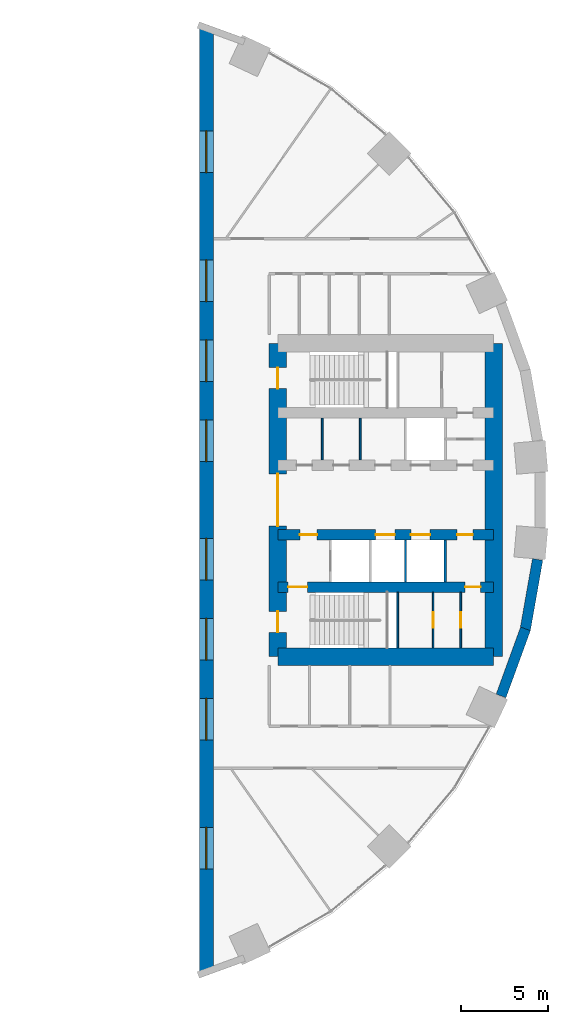
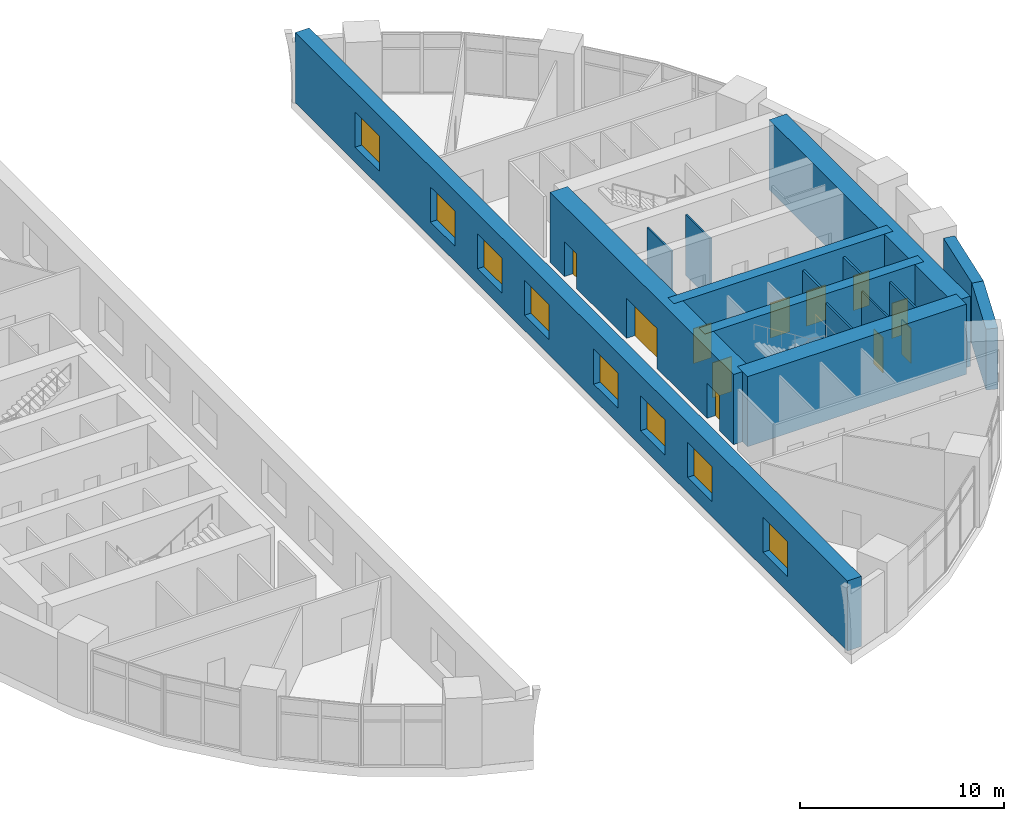
# One storey, part 10 of 13: 15 walls, 11 doors, 8 windows, 19 openings.
"""IFC4 building model written with IfcOpenShell, lengths in metres."""

import ifcopenshell
import ifcopenshell.guid

model = None  # the IFC model being written
_history = None  # IfcOwnerHistory: only IFC2X3 demands one
_inside = {}  # id of a spatial element -> (the spatial element, [elements in it])
_under = {}  # id of a project, library or spatial element -> (it, [spatial elements below it])
_declared = {}  # id of a project -> (the project, [libraries it declares])
_typed = {}  # id of a type object -> (the type object, [elements of that type])
_made_of = {}  # id of a material, layer set ... -> (it, [elements and type objects made of it])


def new_model(schema):
    """Start an empty IFC model of exactly this schema.

    Asked for "IFC4X3", IfcOpenShell would pick the latest addendum, in which some entities
    have other attributes; the version numbers below select the first issue.
    IFC2X3 requires an IfcOwnerHistory on every rooted entity: one is made here for all.
    """
    global model, _history
    if schema == "IFC4X3":
        model = ifcopenshell.file(schema_version=(4, 3, 0, 0))
    else:
        model = ifcopenshell.file(schema=schema)
    _inside.clear()
    _under.clear()
    _declared.clear()
    _typed.clear()
    _made_of.clear()
    _history = None
    if model.schema == "IFC2X3":
        org = make("IfcOrganization", Name="unknown")
        user = make(
            "IfcPersonAndOrganization",
            ThePerson=make("IfcPerson", FamilyName="unknown"),
            TheOrganization=org,
        )
        app = make(
            "IfcApplication",
            ApplicationDeveloper=org,
            Version="unknown",
            ApplicationFullName="unknown",
            ApplicationIdentifier="unknown",
        )
        _history = make(
            "IfcOwnerHistory",
            OwningUser=user,
            OwningApplication=app,
            ChangeAction="ADDED",
            CreationDate=0,
        )
    return model


def make(cls, **values):
    """One entity of the class cls with the attributes given. An attribute that is None is left unset."""
    return model.create_entity(
        cls, **{name: value for name, value in values.items() if value is not None}
    )


def rooted(cls, **values):
    """An entity with a GlobalId (a new one), such as an element, a storey or a relation."""
    return make(cls, GlobalId=ifcopenshell.guid.new(), OwnerHistory=_history, **values)


def si_unit(unit_type, name, prefix=None):
    """IfcSIUnit, for example si_unit("LENGTHUNIT", "METRE", prefix="MILLI")."""
    return make("IfcSIUnit", UnitType=unit_type, Prefix=prefix, Name=name)


def assignment(units):
    """IfcUnitAssignment: the units of a project."""
    return None if units is None else make("IfcUnitAssignment", Units=units)


def point(xyz):
    """IfcCartesianPoint."""
    return None if xyz is None else make("IfcCartesianPoint", Coordinates=xyz)


def direction(xyz):
    """IfcDirection."""
    return None if xyz is None else make("IfcDirection", DirectionRatios=xyz)


def frame(location, z_axis=None, x_axis=None):
    """IfcAxis2Placement3D, a coordinate frame: its origin and axes. An axis left out is left unset."""
    return make(
        "IfcAxis2Placement3D",
        Location=point(location),
        Axis=direction(z_axis),
        RefDirection=direction(x_axis),
    )


def frame_2d(location, x_axis=None):
    """IfcAxis2Placement2D, a coordinate frame in the plane: its origin and x axis."""
    return make(
        "IfcAxis2Placement2D", Location=point(location), RefDirection=direction(x_axis)
    )


def origin():
    """The frame at (0, 0, 0) with its axes left unset."""
    return frame((0.0, 0.0, 0.0))


def place(relative_to, where):
    """IfcLocalPlacement: puts the frame where relative to a parent placement (None: the world)."""
    return make(
        "IfcLocalPlacement", PlacementRelTo=relative_to, RelativePlacement=where
    )


def context(
    kind, dimensions, precision=None, world=None, true_north=None, identifier=None
):
    """IfcGeometricRepresentationContext, for example the 3D "Model" context."""
    return make(
        "IfcGeometricRepresentationContext",
        ContextIdentifier=identifier,
        ContextType=kind,
        CoordinateSpaceDimension=dimensions,
        Precision=precision,
        WorldCoordinateSystem=world,
        TrueNorth=true_north,
    )


def subcontext(parent, identifier, kind, view, scale=None):
    """IfcGeometricRepresentationSubContext, for example "Body" below "Model"."""
    return make(
        "IfcGeometricRepresentationSubContext",
        ContextIdentifier=identifier,
        ContextType=kind,
        ParentContext=parent,
        TargetScale=scale,
        TargetView=view,
    )


def project(units=None, contexts=None):
    """IfcProject with its units and contexts."""
    return rooted(
        "IfcProject",
        Name="project",
        RepresentationContexts=contexts,
        UnitsInContext=assignment(units),
    )


def spatial(cls, under=None, at=None, **own):
    """A site, building, storey or space (cls), placed at a placement, below another one or the project."""
    s = rooted(cls, ObjectPlacement=at, **own)
    if under is not None:
        _under.setdefault(under.id(), (under, []))[1].append(s)
    return s


def profile(cls, at=None, kind="AREA", **sizes):
    """A parametric profile (cls). Its sizes go by their IFC names, for example OverallWidth=200.0."""
    return make(cls, ProfileType=kind, Position=at, **sizes)


def rectangle(**sizes):
    """IfcRectangleProfileDef."""
    return profile("IfcRectangleProfileDef", **sizes)


def extrude(swept, where, along, depth):
    """IfcExtrudedAreaSolid: the profile swept, set in the frame where, extruded along a direction by depth."""
    return make(
        "IfcExtrudedAreaSolid",
        SweptArea=swept,
        Position=where,
        ExtrudedDirection=direction(along),
        Depth=depth,
    )


def shape(context_of_items, identifier, shape_type, items):
    """IfcShapeRepresentation: the items that make up one representation, for example the "Body"."""
    return make(
        "IfcShapeRepresentation",
        ContextOfItems=context_of_items,
        RepresentationIdentifier=identifier,
        RepresentationType=shape_type,
        Items=items,
    )


def material(Name=None, Category=None):
    """IfcMaterial."""
    return make("IfcMaterial", Name=Name, Category=Category)


def layer(
    of_material, thickness, ventilated=None, Name=None, Category=None, Priority=None
):
    """IfcMaterialLayer: one layer of a wall or slab, of a material (None: an air gap)."""
    return make(
        "IfcMaterialLayer",
        Material=of_material,
        LayerThickness=thickness,
        IsVentilated=ventilated,
        Name=Name,
        Category=Category,
        Priority=Priority,
    )


def layer_set(layers, Name=None):
    """IfcMaterialLayerSet."""
    return make("IfcMaterialLayerSet", MaterialLayers=layers, LayerSetName=Name)


def made_of(thing, what):
    """Note that an element or type object is made of a material, layer set ...; save() writes the relation."""
    if what is not None:
        _made_of.setdefault(what.id(), (what, []))[1].append(thing)
    return thing


def type_object(cls, material=None, **own):
    """A type object (cls), such as IfcWallType, which elements share."""
    return made_of(rooted(cls, **own), material)


def element(
    cls,
    number,
    at=None,
    inside=None,
    cuts=None,
    type_object=None,
    material=None,
    context=None,
    identifier="Body",
    shape_type=None,
    held_by="IfcProductDefinitionShape",
    body=None,
    shapes=None,
    **own,
):
    """One element of the class cls, such as IfcWall. Its Tag is "e" and its number.

    at: its placement. inside: the storey or other place that contains it. cuts: it is an
    opening in that element (IfcRelVoidsElement). A single representation is given by context,
    identifier, shape_type and body (its items); several are given by shapes. held_by: the class
    of the entity that holds the representations. save() writes the other relations.
    """
    e = rooted(cls, Tag="e%d" % number, ObjectPlacement=at, **own)
    if body is not None:
        shapes = [shape(context, identifier, shape_type, body)]
    if shapes is not None:
        e.Representation = make(held_by, Representations=shapes)
    if inside is not None:
        _inside.setdefault(inside.id(), (inside, []))[1].append(e)
    if cuts is not None:
        rooted(
            "IfcRelVoidsElement", RelatingBuildingElement=cuts, RelatedOpeningElement=e
        )
    if type_object is not None:
        _typed.setdefault(type_object.id(), (type_object, []))[1].append(e)
    return made_of(e, material)


def fill(opening, filler):
    """IfcRelFillsElement: the door or window that sits in an opening."""
    return rooted(
        "IfcRelFillsElement",
        RelatingOpeningElement=opening,
        RelatedBuildingElement=filler,
    )


def aggregate(whole, parts):
    """IfcRelAggregates: a whole, such as a stair, and the parts it consists of."""
    return rooted("IfcRelAggregates", RelatingObject=whole, RelatedObjects=parts)


def save(model, path):
    """Write the relations noted so far, then the file.

    IfcRelAggregates (storeys below a building ...), IfcRelContainedInSpatialStructure (elements
    in a storey), IfcRelDefinesByType, IfcRelAssociatesMaterial and IfcRelDeclares: one each for
    every whole, place, type object, material and project.
    """
    for whole, parts in _under.values():
        aggregate(whole, parts)
    for where, things in _inside.values():
        rooted(
            "IfcRelContainedInSpatialStructure",
            RelatedElements=things,
            RelatingStructure=where,
        )
    for kind, things in _typed.values():
        rooted("IfcRelDefinesByType", RelatedObjects=things, RelatingType=kind)
    for what, things in _made_of.values():
        rooted("IfcRelAssociatesMaterial", RelatedObjects=things, RelatingMaterial=what)
    for by, libraries in _declared.values():
        rooted("IfcRelDeclares", RelatingContext=by, RelatedDefinitions=libraries)
    model.write(path)


model = new_model("IFC4")

# Units and contexts
model_context = context("Model", 3, precision=1e-05, world=origin(), true_north=direction((0.0, 1.0)))
body_context = subcontext(model_context, "Body", "Model", "MODEL_VIEW")
ifc_project = project(units=[si_unit("LENGTHUNIT", "METRE"), si_unit("AREAUNIT", "SQUARE_METRE"), si_unit("VOLUMEUNIT", "CUBIC_METRE"), si_unit("PLANEANGLEUNIT", "RADIAN"), si_unit("MASSUNIT", "GRAM", prefix="KILO")], contexts=[model_context])

# Site, building, storey
site_placement = place(None, origin())
site = spatial("IfcSite", under=ifc_project, at=site_placement, CompositionType="ELEMENT")
building_placement = place(site_placement, origin())
building = spatial("IfcBuilding", under=site, at=building_placement, Name="Saqina Gate Tower", CompositionType="ELEMENT")
storey_placement = place(building_placement, frame((0.0, 0.0, 5.0)))
storey = spatial("IfcBuildingStorey", under=building, at=storey_placement, Name="L01", CompositionType="ELEMENT", Elevation=5.0)

# Walls
ifc_material_1 = material(Name="Gypsum board on steel studs", Category="steel")
ifc_layer_1 = layer(ifc_material_1, 0.10009765625)
ifc_layer_set_1 = layer_set([ifc_layer_1], Name="CORE PARTITION")
wall_type_1 = type_object("IfcWallType", Name="CORE PARTITION", PredefinedType="PARTITIONING", material=ifc_layer_set_1)
for number, where, z_axis, x_axis, name in (
    (1, (16.052001953125, 2.300048828125, 0.0), (0.0, 0.0, 1.0), (0.0, 1.0, 0.0), "L01-CP-E01"),
    (2, (18.24072265625, 2.300048828125, 0.0), (0.0, 0.0, 1.0), (0.0, 1.0, 0.0), "L01-CP-E02"),
):
    element("IfcWall", number, at=place(storey_placement, frame(where, z_axis=z_axis, x_axis=x_axis)), inside=storey, type_object=wall_type_1, Name=name, PredefinedType="PARTITIONING", context=body_context, shape_type="SweptSolid", body=[
        extrude(rectangle(XDim=2.39990234375, YDim=0.10009765625, at=frame_2d((1.199951171875, 0.0))), origin(), (0.0, 0.0, 1.0), 3.64990234375),
    ])

# Wall, opening, door
wall_1_placement = place(storey_placement, frame((22.424072265625, -8.5, 0.0), z_axis=(0.0, 0.0, 1.0), x_axis=(0.0, 1.0, 0.0)))
wall_1 = element("IfcWall", 3, at=wall_1_placement, inside=storey, type_object=wall_type_1, Name="L01-CP-E13", PredefinedType="PARTITIONING", context=body_context, shape_type="SweptSolid", body=[
    extrude(rectangle(XDim=3.199951171875, YDim=0.10009765625, at=frame_2d((1.60009765625, 0.0))), origin(), (0.0, 0.0, 1.0), 3.64990234375),
])
opening_1_placement = place(wall_1_placement, frame((1.14990234375, 0.0, 0.0)))
opening_1 = element("IfcOpeningElement", 4, at=opening_1_placement, cuts=wall_1, Name="Opening L01-D100", PredefinedType="OPENING", context=body_context, shape_type="SweptSolid", body=[
    extrude(rectangle(XDim=0.89990234375, YDim=2.10009765625, at=frame_2d((0.449951171875, 1.050048828125))), frame((0.0, 0.06201171875, 0.0), z_axis=(0.0, -1.0, 0.0), x_axis=(1.0, 0.0, 0.0)), (0.0, 0.0, 1.0), 0.1240234375),
])
ifc_material_2 = material(Name="Steel-framed fire door leaf, EI 60", Category="steel")
door_type_1 = type_object("IfcDoorType", Name="SERVICE ROOM DOOR 900", OperationType="SINGLE_SWING_LEFT", PredefinedType="DOOR", material=ifc_material_2)
door_1_placement = place(opening_1_placement, origin())
door_1 = element("IfcDoor", 5, at=door_1_placement, inside=storey, type_object=door_type_1, Name="L01-CD-E11", OperationType="SINGLE_SWING_LEFT", OverallHeight=2.10009765625, OverallWidth=0.89990234375, PredefinedType="DOOR", context=body_context, shape_type="SweptSolid", body=[
    extrude(rectangle(XDim=0.89990234375, YDim=2.10009765625, at=frame_2d((0.449951171875, 1.050048828125))), frame((0.0, 0.02490234375, 0.0), z_axis=(0.0, -1.0, 0.0), x_axis=(1.0, 0.0, 0.0)), (0.0, 0.0, 1.0), 0.050048828125),
])
fill(opening_1, door_1)

wall_2_placement = place(storey_placement, frame((24.01123046875, -8.5, 0.0), z_axis=(0.0, 0.0, 1.0), x_axis=(0.0, 1.0, 0.0)))
wall_2 = element("IfcWall", 6, at=wall_2_placement, inside=storey, type_object=wall_type_1, Name="L01-CP-E14", PredefinedType="PARTITIONING", context=body_context, shape_type="SweptSolid", body=[
    extrude(rectangle(XDim=3.199951171875, YDim=0.10009765625, at=frame_2d((1.60009765625, 0.0))), origin(), (0.0, 0.0, 1.0), 3.64990234375),
])
opening_2_placement = place(wall_2_placement, frame((1.14990234375, 0.0, 0.0)))
opening_2 = element("IfcOpeningElement", 7, at=opening_2_placement, cuts=wall_2, Name="Opening L01-D99", PredefinedType="OPENING", context=body_context, shape_type="SweptSolid", body=[
    extrude(rectangle(XDim=0.89990234375, YDim=2.10009765625, at=frame_2d((0.449951171875, 1.050048828125))), frame((0.0, 0.06201171875, 0.0), z_axis=(0.0, -1.0, 0.0), x_axis=(1.0, 0.0, 0.0)), (0.0, 0.0, 1.0), 0.1240234375),
])
door_2_placement = place(opening_2_placement, origin())
door_2 = element("IfcDoor", 8, at=door_2_placement, inside=storey, type_object=door_type_1, Name="L01-CD-E10", OperationType="SINGLE_SWING_LEFT", OverallHeight=2.10009765625, OverallWidth=0.89990234375, PredefinedType="DOOR", context=body_context, shape_type="SweptSolid", body=[
    extrude(rectangle(XDim=0.89990234375, YDim=2.10009765625, at=frame_2d((0.449951171875, 1.050048828125))), frame((0.0, 0.02490234375, 0.0), z_axis=(0.0, -1.0, 0.0), x_axis=(1.0, 0.0, 0.0)), (0.0, 0.0, 1.0), 0.050048828125),
])
fill(opening_2, door_2)

# Walls
ifc_material_3 = material(Name="Glazed ceramic tile", Category="ceramic")
ifc_layer_2 = layer(ifc_material_3, 0.60009765625)
ifc_layer_set_2 = layer_set([ifc_layer_2], Name="FW-TILE")
wall_type_2 = type_object("IfcWallType", Name="FW-TILE", PredefinedType="SOLIDWALL", material=ifc_layer_set_2)
wall_3_placement = place(storey_placement, frame((26.327880859375, -11.255126953125, 0.0), z_axis=(0.0, 0.0, 1.0), x_axis=(0.342034744565, 0.939687306241, 0.0)))
element("IfcWall", 9, at=wall_3_placement, inside=storey, type_object=wall_type_2, Name="Facade wall L01 facet 34", PredefinedType="SOLIDWALL", context=body_context, shape_type="SweptSolid", body=[
    extrude(rectangle(XDim=4.099365234375, YDim=0.60009765625, at=frame_2d((2.0498046875, 0.0))), origin(), (0.0, 0.0, 1.0), 3.64990234375),
])
ifc_material_4 = material(Name="Glazed ceramic tile (white)", Category="ceramic")
ifc_layer_3 = layer(ifc_material_4, 0.60009765625)
ifc_layer_set_3 = layer_set([ifc_layer_3], Name="FW-TILE-WH")
wall_type_3 = type_object("IfcWallType", Name="FW-TILE-WH", PredefinedType="SOLIDWALL", material=ifc_layer_set_3)
wall_4_placement = place(storey_placement, frame((27.71630859375, -7.45361328125, 0.0), z_axis=(0.0, 0.0, 1.0), x_axis=(0.173673210505, 0.984803338719, 0.0)))
element("IfcWall", 10, at=wall_4_placement, inside=storey, type_object=wall_type_3, Name="Facade wall L01 facet 35", PredefinedType="SOLIDWALL", context=body_context, shape_type="SweptSolid", body=[
    extrude(rectangle(XDim=4.09912109375, YDim=0.60009765625, at=frame_2d((2.049560546875, 0.0))), origin(), (0.0, 0.0, 1.0), 3.64990234375),
])
ifc_material_5 = material(Name="Autoclaved aerated concrete block", Category="concrete")
ifc_layer_4 = layer(ifc_material_5, 0.1201171875)
ifc_layer_set_4 = layer_set([ifc_layer_4], Name="SHAFT PARTITION")
wall_type_4 = type_object("IfcWallType", Name="SHAFT PARTITION", PredefinedType="PARTITIONING", material=ifc_layer_set_4)
for number, where, z_axis, x_axis, name in (
    (11, (20.840087890625, -4.699951171875, 0.0), (0.0, 0.0, 1.0), (0.0, 1.0, 0.0), "L01-CP-E07"),
    (12, (23.1201171875, -4.699951171875, 0.0), (0.0, 0.0, 1.0), (0.0, 1.0, 0.0), "L01-CP-E08"),
):
    element("IfcWall", number, at=place(storey_placement, frame(where, z_axis=z_axis, x_axis=x_axis)), inside=storey, type_object=wall_type_4, Name=name, PredefinedType="PARTITIONING", context=body_context, shape_type="SweptSolid", body=[
        extrude(rectangle(XDim=2.39990234375, YDim=0.1201171875, at=frame_2d((1.199951171875, 0.0))), origin(), (0.0, 0.0, 1.0), 3.64990234375),
    ])
ifc_material_6 = material(Name="Autoclaved aerated concrete block", Category="concrete")
ifc_layer_5 = layer(ifc_material_6, 0.10009765625)
ifc_layer_set_5 = layer_set([ifc_layer_5], Name="STAIR ENCLOSURE WALL")
wall_type_5 = type_object("IfcWallType", Name="STAIR ENCLOSURE WALL", PredefinedType="PARTITIONING", material=ifc_layer_set_5)
wall_5_placement = place(storey_placement, frame((20.389892578125, -8.5, 0.0), z_axis=(0.0, 0.0, 1.0), x_axis=(0.0, 1.0, 0.0)))
element("IfcWall", 13, at=wall_5_placement, inside=storey, type_object=wall_type_5, Name="L01-CP-E12", PredefinedType="PARTITIONING", context=body_context, shape_type="SweptSolid", body=[
    extrude(rectangle(XDim=3.199951171875, YDim=0.10009765625, at=frame_2d((1.60009765625, 0.0))), origin(), (0.0, 0.0, 1.0), 3.64990234375),
])

# Wall, openings, doors
ifc_material_7 = material(Name="Concrete C70/85", Category="concrete")
ifc_layer_6 = layer(ifc_material_7, 0.60009765625)
ifc_layer_set_6 = layer_set([ifc_layer_6], Name="Concrete C70/85")
wall_type_6 = type_object("IfcWallType", Name="STR-CORE WALL-P-I", PredefinedType="SHEAR", material=ifc_layer_set_6)
wall_6_placement = place(storey_placement, frame((13.5, -5.0, 0.0), z_axis=(0.0, 0.0, 1.0), x_axis=(1.0, 0.0, 0.0)))
wall_6 = element("IfcWall", 14, at=wall_6_placement, inside=storey, type_object=wall_type_6, Name="CORE WALL L01 E-X2", PredefinedType="SHEAR", context=body_context, shape_type="SweptSolid", body=[
    extrude(rectangle(XDim=12.39990234375, YDim=0.60009765625, at=frame_2d((6.199951171875, 0.0))), origin(), (0.0, 0.0, 1.0), 4.199951171875),
])
opening_3_placement = place(wall_6_placement, frame((10.755615234375, 0.0, 0.0)))
opening_3 = element("IfcOpeningElement", 15, at=opening_3_placement, cuts=wall_6, Name="Opening L01-D101", PredefinedType="OPENING", context=body_context, shape_type="SweptSolid", body=[
    extrude(rectangle(XDim=0.89990234375, YDim=2.10009765625, at=frame_2d((0.449951171875, 1.050048828125))), frame((0.0, 0.31201171875, 0.0), z_axis=(0.0, -1.0, 0.0), x_axis=(1.0, 0.0, 0.0)), (0.0, 0.0, 1.0), 0.6240234375),
])
opening_4_placement = place(wall_6_placement, frame((0.60009765625, 0.0, 0.0)))
opening_4 = element("IfcOpeningElement", 16, at=opening_4_placement, cuts=wall_6, Name="Opening L01-D102", PredefinedType="OPENING", context=body_context, shape_type="SweptSolid", body=[
    extrude(rectangle(XDim=1.10009765625, YDim=2.10009765625, at=frame_2d((0.550048828125, 1.050048828125))), frame((0.0, 0.31201171875, 0.0), z_axis=(0.0, -1.0, 0.0), x_axis=(1.0, 0.0, 0.0)), (0.0, 0.0, 1.0), 0.6240234375),
])
ifc_material_8 = material(Name="Steel", Category="steel")
door_type_2 = type_object("IfcDoorType", Name="FIRE LOBBY DOOR EI 60 WIDE", OperationType="SINGLE_SWING_LEFT", PredefinedType="DOOR", material=ifc_material_8)
door_3_placement = place(opening_4_placement, frame((1.10009765625, 0.0, 0.0), z_axis=(0.0, 0.0, 1.0), x_axis=(-1.0, 0.0, 0.0)))
door_3 = element("IfcDoor", 17, at=door_3_placement, inside=storey, type_object=door_type_2, Name="L01-CD-E13", OperationType="SINGLE_SWING_RIGHT", OverallHeight=2.10009765625, OverallWidth=1.10009765625, PredefinedType="DOOR", context=body_context, shape_type="SweptSolid", body=[
    extrude(rectangle(XDim=1.10009765625, YDim=2.10009765625, at=frame_2d((0.550048828125, 1.050048828125))), frame((0.0, 0.02490234375, 0.0), z_axis=(0.0, -1.0, 0.0), x_axis=(1.0, 0.0, 0.0)), (0.0, 0.0, 1.0), 0.050048828125),
])
fill(opening_4, door_3)
door_4_placement = place(opening_3_placement, origin())
door_4 = element("IfcDoor", 18, at=door_4_placement, inside=storey, type_object=door_type_1, Name="L01-CD-E12", OperationType="SINGLE_SWING_RIGHT", OverallHeight=2.10009765625, OverallWidth=0.89990234375, PredefinedType="DOOR", context=body_context, shape_type="SweptSolid", body=[
    extrude(rectangle(XDim=0.89990234375, YDim=2.10009765625, at=frame_2d((0.449951171875, 1.050048828125))), frame((0.0, 0.02490234375, 0.0), z_axis=(0.0, -1.0, 0.0), x_axis=(1.0, 0.0, 0.0)), (0.0, 0.0, 1.0), 0.050048828125),
])
fill(opening_3, door_4)

wall_7_placement = place(storey_placement, frame((13.5, -2.0, 0.0), z_axis=(0.0, 0.0, 1.0), x_axis=(1.0, 0.0, 0.0)))
wall_7 = element("IfcWall", 19, at=wall_7_placement, inside=storey, type_object=wall_type_6, Name="CORE WALL L01 E-L2", PredefinedType="SHEAR", context=body_context, shape_type="SweptSolid", body=[
    extrude(rectangle(XDim=12.39990234375, YDim=0.60009765625, at=frame_2d((6.199951171875, 0.0))), origin(), (0.0, 0.0, 1.0), 4.199951171875),
])
opening_5_placement = place(wall_7_placement, frame((5.6201171875, 0.0, 0.0)))
opening_5 = element("IfcOpeningElement", 20, at=opening_5_placement, cuts=wall_7, Name="Opening L01-LD3", PredefinedType="OPENING", context=body_context, shape_type="SweptSolid", body=[
    extrude(rectangle(XDim=1.10009765625, YDim=2.10009765625, at=frame_2d((0.550048828125, 1.050048828125))), frame((0.0, 0.31201171875, 0.0), z_axis=(0.0, -1.0, 0.0), x_axis=(1.0, 0.0, 0.0)), (0.0, 0.0, 1.0), 0.6240234375),
])
opening_6_placement = place(wall_7_placement, frame((7.64990234375, 0.0, 0.0)))
opening_6 = element("IfcOpeningElement", 21, at=opening_6_placement, cuts=wall_7, Name="Opening L01-LD4", PredefinedType="OPENING", context=body_context, shape_type="SweptSolid", body=[
    extrude(rectangle(XDim=1.10009765625, YDim=2.10009765625, at=frame_2d((0.550048828125, 1.050048828125))), frame((0.0, 0.31201171875, 0.0), z_axis=(0.0, -1.0, 0.0), x_axis=(1.0, 0.0, 0.0)), (0.0, 0.0, 1.0), 0.6240234375),
])
opening_7_placement = place(wall_7_placement, frame((1.264892578125, 0.0, 0.0)))
opening_7 = element("IfcOpeningElement", 22, at=opening_7_placement, cuts=wall_7, Name="Opening L01-D94", PredefinedType="OPENING", context=body_context, shape_type="SweptSolid", body=[
    extrude(rectangle(XDim=1.0, YDim=2.10009765625, at=frame_2d((0.5, 1.050048828125))), frame((0.0, 0.31201171875, 0.0), z_axis=(0.0, -1.0, 0.0), x_axis=(1.0, 0.0, 0.0)), (0.0, 0.0, 1.0), 0.6240234375),
])
opening_8_placement = place(wall_7_placement, frame((10.31005859375, 0.0, 0.0)))
opening_8 = element("IfcOpeningElement", 23, at=opening_8_placement, cuts=wall_7, Name="Opening L01-D95", PredefinedType="OPENING", context=body_context, shape_type="SweptSolid", body=[
    extrude(rectangle(XDim=0.89990234375, YDim=2.10009765625, at=frame_2d((0.449951171875, 1.050048828125))), frame((0.0, 0.31201171875, 0.0), z_axis=(0.0, -1.0, 0.0), x_axis=(1.0, 0.0, 0.0)), (0.0, 0.0, 1.0), 0.6240234375),
])
ifc_material_9 = material(Name="Steel", Category="steel")
door_type_3 = type_object("IfcDoorType", Name="FIRE LOBBY DOOR EI 60", OperationType="SINGLE_SWING_LEFT", PredefinedType="DOOR", material=ifc_material_9)
door_5_placement = place(opening_7_placement, origin())
door_5 = element("IfcDoor", 24, at=door_5_placement, inside=storey, type_object=door_type_3, Name="L01-CD-E05", OperationType="SINGLE_SWING_LEFT", OverallHeight=2.10009765625, OverallWidth=1.0, PredefinedType="DOOR", context=body_context, shape_type="SweptSolid", body=[
    extrude(rectangle(XDim=1.0, YDim=2.10009765625, at=frame_2d((0.5, 1.050048828125))), frame((0.0, 0.02490234375, 0.0), z_axis=(0.0, -1.0, 0.0), x_axis=(1.0, 0.0, 0.0)), (0.0, 0.0, 1.0), 0.050048828125),
])
fill(opening_7, door_5)
ifc_material_10 = material(Name="Stainless steel", Category="steel")
door_type_4 = type_object("IfcDoorType", Name="LANDING DOOR", OperationType="DOUBLE_DOOR_SLIDING", PredefinedType="DOOR", material=ifc_material_10)
door_6_placement = place(opening_5_placement, origin())
door_6 = element("IfcDoor", 25, at=door_6_placement, inside=storey, type_object=door_type_4, Name="LANDING DOOR LR3", OperationType="DOUBLE_DOOR_SLIDING", OverallHeight=2.10009765625, OverallWidth=1.10009765625, PredefinedType="DOOR", context=body_context, shape_type="SweptSolid", body=[
    extrude(rectangle(XDim=1.10009765625, YDim=2.10009765625, at=frame_2d((0.550048828125, 1.050048828125))), frame((0.0, 0.02490234375, 0.0), z_axis=(0.0, -1.0, 0.0), x_axis=(1.0, 0.0, 0.0)), (0.0, 0.0, 1.0), 0.050048828125),
])
fill(opening_5, door_6)
door_7_placement = place(opening_6_placement, origin())
door_7 = element("IfcDoor", 26, at=door_7_placement, inside=storey, type_object=door_type_4, Name="LANDING DOOR LR2", OperationType="DOUBLE_DOOR_SLIDING", OverallHeight=2.10009765625, OverallWidth=1.10009765625, PredefinedType="DOOR", context=body_context, shape_type="SweptSolid", body=[
    extrude(rectangle(XDim=1.10009765625, YDim=2.10009765625, at=frame_2d((0.550048828125, 1.050048828125))), frame((0.0, 0.02490234375, 0.0), z_axis=(0.0, -1.0, 0.0), x_axis=(1.0, 0.0, 0.0)), (0.0, 0.0, 1.0), 0.050048828125),
])
fill(opening_6, door_7)
door_8_placement = place(opening_8_placement, frame((0.89990234375, 0.0, 0.0), z_axis=(0.0, 0.0, 1.0), x_axis=(-1.0, 0.0, 0.0)))
door_8 = element("IfcDoor", 27, at=door_8_placement, inside=storey, type_object=door_type_1, Name="L01-CD-E06", OperationType="SINGLE_SWING_LEFT", OverallHeight=2.10009765625, OverallWidth=0.89990234375, PredefinedType="DOOR", context=body_context, shape_type="SweptSolid", body=[
    extrude(rectangle(XDim=0.89990234375, YDim=2.10009765625, at=frame_2d((0.449951171875, 1.050048828125))), frame((0.0, 0.02490234375, 0.0), z_axis=(0.0, -1.0, 0.0), x_axis=(1.0, 0.0, 0.0)), (0.0, 0.0, 1.0), 0.050048828125),
])
fill(opening_8, door_8)

ifc_material_11 = material(Name="Concrete C70/85", Category="concrete")
ifc_layer_7 = layer(ifc_material_11, 1.0)
ifc_layer_set_7 = layer_set([ifc_layer_7], Name="Concrete C70/85")
wall_type_7 = type_object("IfcWallType", Name="STR-CORE WALL-P-O", PredefinedType="SHEAR", material=ifc_layer_set_7)
wall_8_placement = place(storey_placement, frame((13.5, -9.0, 0.0), z_axis=(0.0, 0.0, 1.0), x_axis=(0.0, 1.0, 0.0)))
wall_8 = element("IfcWall", 28, at=wall_8_placement, inside=storey, type_object=wall_type_7, Name="CORE WALL L01 E-W1", PredefinedType="SHEAR", context=body_context, shape_type="SweptSolid", body=[
    extrude(rectangle(XDim=18.0, YDim=1.0, at=frame_2d((9.0, 0.0))), origin(), (0.0, 0.0, 1.0), 4.199951171875),
])
opening_9_placement = place(wall_8_placement, frame((15.39990234375, 0.0, 0.0)))
opening_9 = element("IfcOpeningElement", 29, at=opening_9_placement, cuts=wall_8, Name="Opening L01-D103", PredefinedType="OPENING", context=body_context, shape_type="SweptSolid", body=[
    extrude(rectangle(XDim=1.199951171875, YDim=2.10009765625, at=frame_2d((0.60009765625, 1.050048828125))), frame((0.0, 0.511962890625, 0.0), z_axis=(0.0, -1.0, 0.0), x_axis=(1.0, 0.0, 0.0)), (0.0, 0.0, 1.0), 1.02392578125),
])
opening_10_placement = place(wall_8_placement, frame((1.39990234375, 0.0, 0.0)))
opening_10 = element("IfcOpeningElement", 30, at=opening_10_placement, cuts=wall_8, Name="Opening L01-D104", PredefinedType="OPENING", context=body_context, shape_type="SweptSolid", body=[
    extrude(rectangle(XDim=1.199951171875, YDim=2.10009765625, at=frame_2d((0.60009765625, 1.050048828125))), frame((0.0, 0.511962890625, 0.0), z_axis=(0.0, -1.0, 0.0), x_axis=(1.0, 0.0, 0.0)), (0.0, 0.0, 1.0), 1.02392578125),
])
opening_11_placement = place(wall_8_placement, frame((7.5, 0.0, 0.0)))
opening_11 = element("IfcOpeningElement", 31, at=opening_11_placement, cuts=wall_8, Name="Opening L01-D105", PredefinedType="OPENING", context=body_context, shape_type="SweptSolid", body=[
    extrude(rectangle(XDim=3.0, YDim=2.39990234375, at=frame_2d((1.5, 1.199951171875))), frame((0.0, 0.511962890625, 0.0), z_axis=(0.0, -1.0, 0.0), x_axis=(1.0, 0.0, 0.0)), (0.0, 0.0, 1.0), 1.02392578125),
])
ifc_material_12 = material(Name="Steel", Category="steel")
door_type_5 = type_object("IfcDoorType", Name="FIRE DOOR EI 60", OperationType="SINGLE_SWING_LEFT", PredefinedType="DOOR", material=ifc_material_12)
door_9_placement = place(opening_9_placement, frame((1.199951171875, 0.0, 0.0), z_axis=(0.0, 0.0, 1.0), x_axis=(-1.0, 0.0, 0.0)))
door_9 = element("IfcDoor", 32, at=door_9_placement, inside=storey, type_object=door_type_5, Name="L01-CD-E14", OperationType="SINGLE_SWING_LEFT", OverallHeight=2.10009765625, OverallWidth=1.199951171875, PredefinedType="DOOR", context=body_context, shape_type="SweptSolid", body=[
    extrude(rectangle(XDim=1.199951171875, YDim=2.10009765625, at=frame_2d((0.60009765625, 1.050048828125))), frame((0.0, 0.02490234375, 0.0), z_axis=(0.0, -1.0, 0.0), x_axis=(1.0, 0.0, 0.0)), (0.0, 0.0, 1.0), 0.050048828125),
])
fill(opening_9, door_9)
door_10_placement = place(opening_10_placement, frame((1.199951171875, 0.0, 0.0), z_axis=(0.0, 0.0, 1.0), x_axis=(-1.0, 0.0, 0.0)))
door_10 = element("IfcDoor", 33, at=door_10_placement, inside=storey, type_object=door_type_5, Name="L01-CD-E15", OperationType="SINGLE_SWING_RIGHT", OverallHeight=2.10009765625, OverallWidth=1.199951171875, PredefinedType="DOOR", context=body_context, shape_type="SweptSolid", body=[
    extrude(rectangle(XDim=1.199951171875, YDim=2.10009765625, at=frame_2d((0.60009765625, 1.050048828125))), frame((0.0, 0.02490234375, 0.0), z_axis=(0.0, -1.0, 0.0), x_axis=(1.0, 0.0, 0.0)), (0.0, 0.0, 1.0), 0.050048828125),
])
fill(opening_10, door_10)
ifc_material_13 = material(Name="Steel and fire-resisting glass", Category="steel")
door_type_6 = type_object("IfcDoorType", Name="LOBBY SCREEN DOOR", OperationType="DOUBLE_DOOR_SLIDING", PredefinedType="DOOR", material=ifc_material_13)
door_11_placement = place(opening_11_placement, origin())
door_11 = element("IfcDoor", 34, at=door_11_placement, inside=storey, type_object=door_type_6, Name="L01-CD-E16", OperationType="DOUBLE_DOOR_SLIDING", OverallHeight=2.39990234375, OverallWidth=3.0, PredefinedType="DOOR", context=body_context, shape_type="SweptSolid", body=[
    extrude(rectangle(XDim=3.0, YDim=2.39990234375, at=frame_2d((1.5, 1.199951171875))), frame((0.0, 0.02490234375, 0.0), z_axis=(0.0, -1.0, 0.0), x_axis=(1.0, 0.0, 0.0)), (0.0, 0.0, 1.0), 0.050048828125),
])
fill(opening_11, door_11)

# Walls
wall_9_placement = place(storey_placement, frame((25.89990234375, -9.0, 0.0), z_axis=(0.0, 0.0, 1.0), x_axis=(0.0, 1.0, 0.0)))
element("IfcWall", 35, at=wall_9_placement, inside=storey, type_object=wall_type_7, Name="CORE WALL L01 E-W2", PredefinedType="SHEAR", context=body_context, shape_type="SweptSolid", body=[
    extrude(rectangle(XDim=18.0, YDim=1.0, at=frame_2d((9.0, 0.0))), origin(), (0.0, 0.0, 1.0), 4.199951171875),
])
wall_10_placement = place(storey_placement, frame((13.5, -9.0, 0.0), z_axis=(0.0, 0.0, 1.0), x_axis=(1.0, 0.0, 0.0)))
element("IfcWall", 36, at=wall_10_placement, inside=storey, type_object=wall_type_7, Name="CORE WALL L01 E-SE", PredefinedType="SHEAR", context=body_context, shape_type="SweptSolid", body=[
    extrude(rectangle(XDim=12.39990234375, YDim=1.0, at=frame_2d((6.199951171875, 0.0))), origin(), (0.0, 0.0, 1.0), 4.199951171875),
])

# Wall, openings, windows
ifc_material_14 = material(Name="Concrete C70/85", Category="concrete")
ifc_layer_8 = layer(ifc_material_14, 0.800048828125)
ifc_layer_set_8 = layer_set([ifc_layer_8], Name="Concrete C70/85")
wall_type_8 = type_object("IfcWallType", Name="STR-PIER-PASSAGE", PredefinedType="SHEAR", material=ifc_layer_set_8)
wall_11_placement = place(storey_placement, frame((9.39990234375, -27.076904296875, 0.0), z_axis=(0.0, 0.0, 1.0), x_axis=(0.0, 1.0, 0.0)))
wall_11 = element("IfcWall", 37, at=wall_11_placement, inside=storey, type_object=wall_type_8, Name="L01-FLKE", PredefinedType="SHEAR", context=body_context, shape_type="SweptSolid", body=[
    extrude(rectangle(XDim=54.15380859375, YDim=0.800048828125, at=frame_2d((27.076904296875, 0.0))), origin(), (0.0, 0.0, 1.0), 4.199951171875),
])
opening_12_placement = place(wall_11_placement, frame((13.27685546875, 0.0, 0.89990234375)))
opening_12 = element("IfcOpeningElement", 38, at=opening_12_placement, cuts=wall_11, Name="Opening L01-W50", PredefinedType="OPENING", context=body_context, shape_type="SweptSolid", body=[
    extrude(rectangle(XDim=2.39990234375, YDim=2.10009765625, at=frame_2d((1.199951171875, 1.050048828125))), frame((0.0, 0.412109375, 0.0), z_axis=(0.0, -1.0, 0.0), x_axis=(1.0, 0.0, 0.0)), (0.0, 0.0, 1.0), 0.823974609375),
])
opening_13_placement = place(wall_11_placement, frame((17.876708984375, 0.0, 0.89990234375)))
opening_13 = element("IfcOpeningElement", 39, at=opening_13_placement, cuts=wall_11, Name="Opening L01-W51", PredefinedType="OPENING", context=body_context, shape_type="SweptSolid", body=[
    extrude(rectangle(XDim=2.39990234375, YDim=2.10009765625, at=frame_2d((1.199951171875, 1.050048828125))), frame((0.0, 0.412109375, 0.0), z_axis=(0.0, -1.0, 0.0), x_axis=(1.0, 0.0, 0.0)), (0.0, 0.0, 1.0), 0.823974609375),
])
opening_14_placement = place(wall_11_placement, frame((22.476806640625, 0.0, 0.89990234375)))
opening_14 = element("IfcOpeningElement", 40, at=opening_14_placement, cuts=wall_11, Name="Opening L01-W52", PredefinedType="OPENING", context=body_context, shape_type="SweptSolid", body=[
    extrude(rectangle(XDim=2.39990234375, YDim=2.10009765625, at=frame_2d((1.199951171875, 1.050048828125))), frame((0.0, 0.412109375, 0.0), z_axis=(0.0, -1.0, 0.0), x_axis=(1.0, 0.0, 0.0)), (0.0, 0.0, 1.0), 0.823974609375),
])
opening_15_placement = place(wall_11_placement, frame((29.27685546875, 0.0, 0.89990234375)))
opening_15 = element("IfcOpeningElement", 41, at=opening_15_placement, cuts=wall_11, Name="Opening L01-W53", PredefinedType="OPENING", context=body_context, shape_type="SweptSolid", body=[
    extrude(rectangle(XDim=2.39990234375, YDim=2.10009765625, at=frame_2d((1.199951171875, 1.050048828125))), frame((0.0, 0.412109375, 0.0), z_axis=(0.0, -1.0, 0.0), x_axis=(1.0, 0.0, 0.0)), (0.0, 0.0, 1.0), 0.823974609375),
])
opening_16_placement = place(wall_11_placement, frame((33.876708984375, 0.0, 0.89990234375)))
opening_16 = element("IfcOpeningElement", 42, at=opening_16_placement, cuts=wall_11, Name="Opening L01-W54", PredefinedType="OPENING", context=body_context, shape_type="SweptSolid", body=[
    extrude(rectangle(XDim=2.39990234375, YDim=2.10009765625, at=frame_2d((1.199951171875, 1.050048828125))), frame((0.0, 0.412109375, 0.0), z_axis=(0.0, -1.0, 0.0), x_axis=(1.0, 0.0, 0.0)), (0.0, 0.0, 1.0), 0.823974609375),
])
opening_17_placement = place(wall_11_placement, frame((38.476806640625, 0.0, 0.89990234375)))
opening_17 = element("IfcOpeningElement", 43, at=opening_17_placement, cuts=wall_11, Name="Opening L01-W55", PredefinedType="OPENING", context=body_context, shape_type="SweptSolid", body=[
    extrude(rectangle(XDim=2.39990234375, YDim=2.10009765625, at=frame_2d((1.199951171875, 1.050048828125))), frame((0.0, 0.412109375, 0.0), z_axis=(0.0, -1.0, 0.0), x_axis=(1.0, 0.0, 0.0)), (0.0, 0.0, 1.0), 0.823974609375),
])
opening_18_placement = place(wall_11_placement, frame((5.876708984375, 0.0, 0.89990234375)))
opening_18 = element("IfcOpeningElement", 44, at=opening_18_placement, cuts=wall_11, Name="Opening L01-W56", PredefinedType="OPENING", context=body_context, shape_type="SweptSolid", body=[
    extrude(rectangle(XDim=2.39990234375, YDim=2.10009765625, at=frame_2d((1.199951171875, 1.050048828125))), frame((0.0, 0.412109375, 0.0), z_axis=(0.0, -1.0, 0.0), x_axis=(1.0, 0.0, 0.0)), (0.0, 0.0, 1.0), 0.823974609375),
])
opening_19_placement = place(wall_11_placement, frame((45.876708984375, 0.0, 0.89990234375)))
opening_19 = element("IfcOpeningElement", 45, at=opening_19_placement, cuts=wall_11, Name="Opening L01-W57", PredefinedType="OPENING", context=body_context, shape_type="SweptSolid", body=[
    extrude(rectangle(XDim=2.39990234375, YDim=2.10009765625, at=frame_2d((1.199951171875, 1.050048828125))), frame((0.0, 0.412109375, 0.0), z_axis=(0.0, -1.0, 0.0), x_axis=(1.0, 0.0, 0.0)), (0.0, 0.0, 1.0), 0.823974609375),
])
ifc_material_15 = material(Name="Double glazed unit in aluminium frame", Category="aluminium")
window_type = type_object("IfcWindowType", Name="AMENITY WINDOW 2400", PartitioningType="SINGLE_PANEL", PredefinedType="WINDOW", material=ifc_material_15)
window_1_placement = place(opening_12_placement, origin())
window_1 = element("IfcWindow", 46, at=window_1_placement, inside=storey, type_object=window_type, Name="Amenity window", OverallHeight=2.10009765625, OverallWidth=2.39990234375, PartitioningType="SINGLE_PANEL", PredefinedType="WINDOW", context=body_context, shape_type="SweptSolid", body=[
    extrude(rectangle(XDim=2.39990234375, YDim=2.10009765625, at=frame_2d((1.199951171875, 1.050048828125))), frame((0.0, 0.030029296875, 0.0), z_axis=(0.0, -1.0, 0.0), x_axis=(1.0, 0.0, 0.0)), (0.0, 0.0, 1.0), 0.06005859375),
])
fill(opening_12, window_1)
window_2_placement = place(opening_13_placement, origin())
window_2 = element("IfcWindow", 47, at=window_2_placement, inside=storey, type_object=window_type, Name="Amenity window", OverallHeight=2.10009765625, OverallWidth=2.39990234375, PartitioningType="SINGLE_PANEL", PredefinedType="WINDOW", context=body_context, shape_type="SweptSolid", body=[
    extrude(rectangle(XDim=2.39990234375, YDim=2.10009765625, at=frame_2d((1.199951171875, 1.050048828125))), frame((0.0, 0.030029296875, 0.0), z_axis=(0.0, -1.0, 0.0), x_axis=(1.0, 0.0, 0.0)), (0.0, 0.0, 1.0), 0.06005859375),
])
fill(opening_13, window_2)
window_3_placement = place(opening_14_placement, origin())
window_3 = element("IfcWindow", 48, at=window_3_placement, inside=storey, type_object=window_type, Name="Amenity window", OverallHeight=2.10009765625, OverallWidth=2.39990234375, PartitioningType="SINGLE_PANEL", PredefinedType="WINDOW", context=body_context, shape_type="SweptSolid", body=[
    extrude(rectangle(XDim=2.39990234375, YDim=2.10009765625, at=frame_2d((1.199951171875, 1.050048828125))), frame((0.0, 0.030029296875, 0.0), z_axis=(0.0, -1.0, 0.0), x_axis=(1.0, 0.0, 0.0)), (0.0, 0.0, 1.0), 0.06005859375),
])
fill(opening_14, window_3)
window_4_placement = place(opening_15_placement, origin())
window_4 = element("IfcWindow", 49, at=window_4_placement, inside=storey, type_object=window_type, Name="Amenity window", OverallHeight=2.10009765625, OverallWidth=2.39990234375, PartitioningType="SINGLE_PANEL", PredefinedType="WINDOW", context=body_context, shape_type="SweptSolid", body=[
    extrude(rectangle(XDim=2.39990234375, YDim=2.10009765625, at=frame_2d((1.199951171875, 1.050048828125))), frame((0.0, 0.030029296875, 0.0), z_axis=(0.0, -1.0, 0.0), x_axis=(1.0, 0.0, 0.0)), (0.0, 0.0, 1.0), 0.06005859375),
])
fill(opening_15, window_4)
window_5_placement = place(opening_16_placement, origin())
window_5 = element("IfcWindow", 50, at=window_5_placement, inside=storey, type_object=window_type, Name="Amenity window", OverallHeight=2.10009765625, OverallWidth=2.39990234375, PartitioningType="SINGLE_PANEL", PredefinedType="WINDOW", context=body_context, shape_type="SweptSolid", body=[
    extrude(rectangle(XDim=2.39990234375, YDim=2.10009765625, at=frame_2d((1.199951171875, 1.050048828125))), frame((0.0, 0.030029296875, 0.0), z_axis=(0.0, -1.0, 0.0), x_axis=(1.0, 0.0, 0.0)), (0.0, 0.0, 1.0), 0.06005859375),
])
fill(opening_16, window_5)
window_6_placement = place(opening_17_placement, origin())
window_6 = element("IfcWindow", 51, at=window_6_placement, inside=storey, type_object=window_type, Name="Amenity window", OverallHeight=2.10009765625, OverallWidth=2.39990234375, PartitioningType="SINGLE_PANEL", PredefinedType="WINDOW", context=body_context, shape_type="SweptSolid", body=[
    extrude(rectangle(XDim=2.39990234375, YDim=2.10009765625, at=frame_2d((1.199951171875, 1.050048828125))), frame((0.0, 0.030029296875, 0.0), z_axis=(0.0, -1.0, 0.0), x_axis=(1.0, 0.0, 0.0)), (0.0, 0.0, 1.0), 0.06005859375),
])
fill(opening_17, window_6)
window_7_placement = place(opening_18_placement, origin())
window_7 = element("IfcWindow", 52, at=window_7_placement, inside=storey, type_object=window_type, Name="Amenity window", OverallHeight=2.10009765625, OverallWidth=2.39990234375, PartitioningType="SINGLE_PANEL", PredefinedType="WINDOW", context=body_context, shape_type="SweptSolid", body=[
    extrude(rectangle(XDim=2.39990234375, YDim=2.10009765625, at=frame_2d((1.199951171875, 1.050048828125))), frame((0.0, 0.030029296875, 0.0), z_axis=(0.0, -1.0, 0.0), x_axis=(1.0, 0.0, 0.0)), (0.0, 0.0, 1.0), 0.06005859375),
])
fill(opening_18, window_7)
window_8_placement = place(opening_19_placement, origin())
window_8 = element("IfcWindow", 53, at=window_8_placement, inside=storey, type_object=window_type, Name="Amenity window", OverallHeight=2.10009765625, OverallWidth=2.39990234375, PartitioningType="SINGLE_PANEL", PredefinedType="WINDOW", context=body_context, shape_type="SweptSolid", body=[
    extrude(rectangle(XDim=2.39990234375, YDim=2.10009765625, at=frame_2d((1.199951171875, 1.050048828125))), frame((0.0, 0.030029296875, 0.0), z_axis=(0.0, -1.0, 0.0), x_axis=(1.0, 0.0, 0.0)), (0.0, 0.0, 1.0), 0.06005859375),
])
fill(opening_19, window_8)

save(model, "model.ifc")
